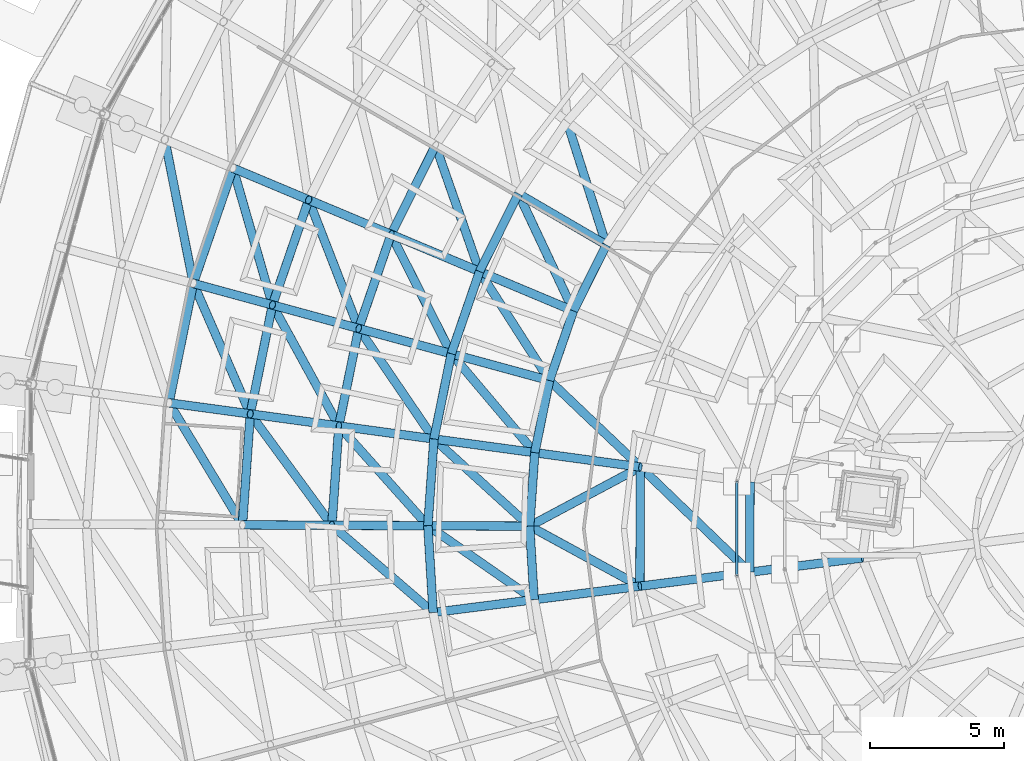
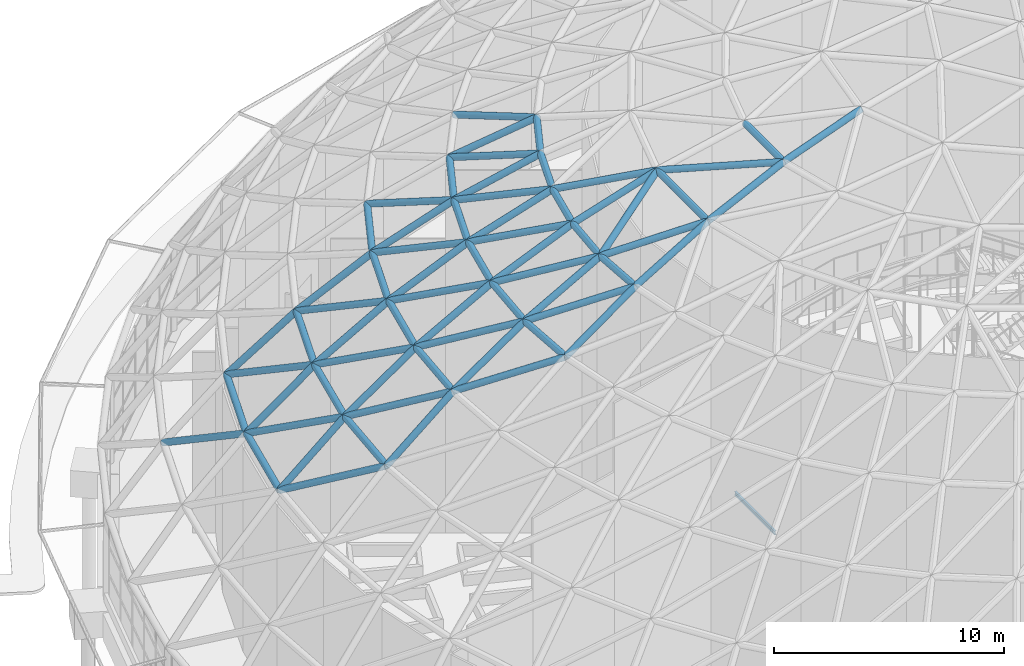
# One storey, part 84 of 226: 64 members, 1 beam.
"""IFC4 building model written with IfcOpenShell, lengths in metres."""

from ifc_helpers import new_model, si_unit, direction, frame, origin, origin_2d, place, context, subcontext, project, spatial, hollow_circle, i_section, extrude, material, material_profile, profile_set, type_object, element, save


model = new_model("IFC4")

# Units and contexts
model_context = context("Model", 3, precision=1e-05, world=origin(), true_north=direction((0.0, 1.0)))
body_context = subcontext(model_context, "Body", "Model", "MODEL_VIEW")
ifc_project = project(units=[si_unit("LENGTHUNIT", "METRE"), si_unit("AREAUNIT", "SQUARE_METRE"), si_unit("VOLUMEUNIT", "CUBIC_METRE"), si_unit("PLANEANGLEUNIT", "RADIAN"), si_unit("MASSUNIT", "GRAM", prefix="KILO")], contexts=[model_context])

# Site, building, storey
site_placement = place(None, origin())
site = spatial("IfcSite", under=ifc_project, at=site_placement, CompositionType="ELEMENT")
building_placement = place(site_placement, origin())
building = spatial("IfcBuilding", under=site, at=building_placement, Name="Ceibo Conservatory and Research Tower", CompositionType="ELEMENT")
storey_placement = place(building_placement, origin())
storey = spatial("IfcBuildingStorey", under=building, at=storey_placement, Name="L00", CompositionType="ELEMENT", Elevation=0.0)

# Members
ifc_material_1 = material(Name="Steel ASTM A500 Gr C", Category="steel")
ifc_material_profile_1 = material_profile(ifc_material_1, hollow_circle(Radius=0.161865234375, WallThickness=0.01025390625, at=origin_2d()), Name="CHS 323.9x10.31")
ifc_profile_set_1 = profile_set([ifc_material_profile_1], Name="Steel ASTM A500 Gr C")
member_type_1 = type_object("IfcMemberType", Name="CHS 323.9x10.31", PredefinedType="NOTDEFINED", material=ifc_profile_set_1)
member_1_placement = place(storey_placement, frame((123.903076171875, 121.458984375, 11.489013671875), z_axis=(-0.325608838812, -0.945504565873, 0.0), x_axis=(0.945504565873, -0.325608838812, 0.0)))
element("IfcMember", 1, at=member_1_placement, inside=storey, type_object=member_type_1, Name="Gridshell member A-C03-21", PredefinedType="CHORD", context=body_context, shape_type="SweptSolid", body=[
    extrude(hollow_circle(Radius=0.161865234375, WallThickness=0.01025390625, at=origin_2d()), origin(), (0.0, 0.0, 1.0), 4.552001953125),
])
member_2_placement = place(storey_placement, frame((122.4208984375, 117.155029296875, 11.489013671875), z_axis=(-0.199404272229, -0.979917310908, 0.0), x_axis=(0.979917310908, -0.199404272229, 0.0)))
element("IfcMember", 2, at=member_2_placement, inside=storey, type_object=member_type_1, Name="Gridshell member A-C03-22", PredefinedType="CHORD", context=body_context, shape_type="SweptSolid", body=[
    extrude(hollow_circle(Radius=0.161865234375, WallThickness=0.01025390625, at=origin_2d()), origin(), (0.0, 0.0, 1.0), 4.553466796875),
])
member_3_placement = place(storey_placement, frame((126.72705078125, 120.27490234375, 14.591064453125), z_axis=(-0.325631863911, -0.945496636274, 0.0), x_axis=(0.945496636274, -0.325631863911, 0.0)))
element("IfcMember", 3, at=member_3_placement, inside=storey, type_object=member_type_1, Name="Gridshell member A-C04-21", PredefinedType="CHORD", context=body_context, shape_type="SweptSolid", body=[
    extrude(hollow_circle(Radius=0.161865234375, WallThickness=0.01025390625, at=origin_2d()), origin(), (0.0, 0.0, 1.0), 4.152099609375),
])
member_4_placement = place(storey_placement, frame((125.375, 116.34912109375, 14.591064453125), z_axis=(-0.19941730815, -0.979914658126, 0.0), x_axis=(0.979914658126, -0.19941730815, 0.0)))
element("IfcMember", 4, at=member_4_placement, inside=storey, type_object=member_type_1, Name="Gridshell member A-C04-22", PredefinedType="CHORD", context=body_context, shape_type="SweptSolid", body=[
    extrude(hollow_circle(Radius=0.161865234375, WallThickness=0.01025390625, at=origin_2d()), origin(), (0.0, 0.0, 1.0), 4.151611328125),
])
member_5_placement = place(storey_placement, frame((124.547119140625, 112.281005859375, 14.591064453125), z_axis=(-0.069851361764, -0.997557410508, 0.0), x_axis=(0.997557410508, -0.069851361764, 0.0)))
element("IfcMember", 5, at=member_5_placement, inside=storey, type_object=member_type_1, Name="Gridshell member A-C04-23", PredefinedType="CHORD", context=body_context, shape_type="SweptSolid", body=[
    extrude(hollow_circle(Radius=0.161865234375, WallThickness=0.01025390625, at=origin_2d()), origin(), (0.0, 0.0, 1.0), 4.15234375),
])
member_6_placement = place(storey_placement, frame((129.804931640625, 118.985107421875, 17.39501953125), z_axis=(0.75813441207, -0.318032147885, 0.569287068311), x_axis=(0.386835095779, 0.92214890808, 0.0)))
element("IfcMember", 6, at=member_6_placement, inside=storey, type_object=member_type_1, Name="Gridshell member A-M21-05", PredefinedType="RAFTER", context=body_context, shape_type="SweptSolid", body=[
    extrude(hollow_circle(Radius=0.161865234375, WallThickness=0.01025390625, at=origin_2d()), origin(), (0.0, 0.0, 1.0), 4.35791015625),
])
member_7_placement = place(storey_placement, frame((128.594970703125, 115.470947265625, 17.39501953125), z_axis=(0.793235601629, -0.216123089766, 0.569269786988), x_axis=(0.262875246601, 0.964829832004, 0.0)))
element("IfcMember", 7, at=member_7_placement, inside=storey, type_object=member_type_1, Name="Gridshell member A-M22-05", PredefinedType="RAFTER", context=body_context, shape_type="SweptSolid", body=[
    extrude(hollow_circle(Radius=0.161865234375, WallThickness=0.01025390625, at=origin_2d()), origin(), (0.0, 0.0, 1.0), 4.358154296875),
])
member_8_placement = place(storey_placement, frame((127.85400390625, 111.830078125, 17.39501953125), z_axis=(0.814696103147, -0.110847960683, 0.569195036107), x_axis=(0.134818315165, 0.990870335562, 0.0)))
element("IfcMember", 8, at=member_8_placement, inside=storey, type_object=member_type_1, Name="Gridshell member A-M23-05", PredefinedType="RAFTER", context=body_context, shape_type="SweptSolid", body=[
    extrude(hollow_circle(Radius=0.161865234375, WallThickness=0.01025390625, at=origin_2d()), origin(), (0.0, 0.0, 1.0), 4.358642578125),
])
member_9_placement = place(storey_placement, frame((127.594970703125, 108.1240234375, 17.39501953125), z_axis=(0.822142202026, -0.00369728709, 0.569270172867), x_axis=(0.00449709271, 0.999989888027, 0.0)))
element("IfcMember", 9, at=member_9_placement, inside=storey, type_object=member_type_1, Name="Gridshell member A-M24-05", PredefinedType="RAFTER", context=body_context, shape_type="SweptSolid", body=[
    extrude(hollow_circle(Radius=0.161865234375, WallThickness=0.01025390625, at=origin_2d()), origin(), (0.0, 0.0, 1.0), 4.358154296875),
])
member_10_placement = place(storey_placement, frame((134.55810546875, 120.5048828125, 19.8759765625), z_axis=(0.752850077834, -0.439232549316, 0.4901953977), x_axis=(0.503930948755, 0.863743942894, 0.0)))
element("IfcMember", 10, at=member_10_placement, inside=storey, type_object=member_type_1, Name="Gridshell member A-M20-06", PredefinedType="RAFTER", context=body_context, shape_type="SweptSolid", body=[
    extrude(hollow_circle(Radius=0.161865234375, WallThickness=0.01025390625, at=origin_2d()), origin(), (0.0, 0.0, 1.0), 4.359375),
])
for number, where, z_axis, x_axis, name in (
    (11, (133.10888671875, 117.59912109375, 19.8759765625), (0.803754702844, -0.337226420994, 0.490159890893), (0.38689058322, 0.922125629519, 0.0), "Gridshell member A-M21-06"),
    (12, (132.052001953125, 114.529052734375, 19.8759765625), (0.840902685028, -0.229377823513, 0.49017189678), (0.263160896659, 0.964751959039, 0.0), "Gridshell member A-M22-06"),
):
    element("IfcMember", number, at=place(storey_placement, frame(where, z_axis=z_axis, x_axis=x_axis)), inside=storey, type_object=member_type_1, Name=name, PredefinedType="RAFTER", context=body_context, shape_type="SweptSolid", body=[
        extrude(hollow_circle(Radius=0.161865234375, WallThickness=0.01025390625, at=origin_2d()), origin(), (0.0, 0.0, 1.0), 4.359619140625),
    ])
member_11_placement = place(storey_placement, frame((131.405029296875, 111.346923828125, 19.8759765625), z_axis=(0.863654401517, -0.117442661305, 0.490212500907), x_axis=(0.134743303919, 0.990880538738, 0.0)))
element("IfcMember", 13, at=member_11_placement, inside=storey, type_object=member_type_1, Name="Gridshell member A-M23-06", PredefinedType="RAFTER", context=body_context, shape_type="SweptSolid", body=[
    extrude(hollow_circle(Radius=0.161865234375, WallThickness=0.01025390625, at=origin_2d()), origin(), (0.0, 0.0, 1.0), 4.359375),
])
member_12_placement = place(storey_placement, frame((131.177978515625, 108.10791015625, 19.8759765625), z_axis=(0.871625092103, -0.003639937744, 0.490159616523), x_axis=(0.004175999565, 0.999991280476, 0.0)))
element("IfcMember", 14, at=member_12_placement, inside=storey, type_object=member_type_1, Name="Gridshell member A-M24-06", PredefinedType="RAFTER", context=body_context, shape_type="SweptSolid", body=[
    extrude(hollow_circle(Radius=0.161865234375, WallThickness=0.01025390625, at=origin_2d()), origin(), (0.0, 0.0, 1.0), 4.359619140625),
])
member_13_placement = place(storey_placement, frame((131.3759765625, 104.866943359375, 19.8759765625), z_axis=(0.864673396571, 0.110085992595, 0.490123445162), x_axis=(-0.126295657253, 0.991992644609, 0.0)))
element("IfcMember", 15, at=member_13_placement, inside=storey, type_object=member_type_1, Name="Gridshell member A-M25-06", PredefinedType="RAFTER", context=body_context, shape_type="SweptSolid", body=[
    extrude(hollow_circle(Radius=0.161865234375, WallThickness=0.01025390625, at=origin_2d()), origin(), (0.0, 0.0, 1.0), 4.360107421875),
])
member_14_placement = place(storey_placement, frame((135.169921875, 110.8349609375, 22.012939453125), z_axis=(0.904990888306, -0.123155824209, 0.40721509678), x_axis=(0.134842297895, 0.990867072164, 0.0)))
element("IfcMember", 16, at=member_14_placement, inside=storey, type_object=member_type_1, Name="Gridshell member A-M23-07", PredefinedType="RAFTER", context=body_context, shape_type="SweptSolid", body=[
    extrude(hollow_circle(Radius=0.161865234375, WallThickness=0.01025390625, at=origin_2d()), origin(), (0.0, 0.0, 1.0), 4.359130859375),
])
member_15_placement = place(storey_placement, frame((135.14599609375, 105.346923828125, 22.012939453125), z_axis=(0.906010612223, 0.115218783885, 0.407270674589), x_axis=(-0.126155520817, 0.992010476037, 0.0)))
element("IfcMember", 17, at=member_15_placement, inside=storey, type_object=member_type_1, Name="Gridshell member A-M25-07", PredefinedType="RAFTER", context=body_context, shape_type="SweptSolid", body=[
    extrude(hollow_circle(Radius=0.161865234375, WallThickness=0.01025390625, at=origin_2d()), origin(), (0.0, 0.0, 1.0), 4.358642578125),
])
ifc_material_profile_2 = material_profile(ifc_material_1, hollow_circle(Radius=0.161865234375, WallThickness=0.01416015625, at=origin_2d()), Name="CHS 323.9x14.27")
ifc_profile_set_2 = profile_set([ifc_material_profile_2], Name="Steel ASTM A500 Gr C")
member_type_2 = type_object("IfcMemberType", Name="CHS 323.9x14.27", PredefinedType="NOTDEFINED", material=ifc_profile_set_2)
for number, where, z_axis, x_axis, name in (
    (18, (123.903076171875, 121.458984375, 11.489013671875), (0.647870994768, -0.271649894063, 0.711666712158), (0.386680743983, 0.922213642402, 0.0), "Gridshell member A-M21-03"),
    (19, (122.4208984375, 117.155029296875, 11.489013671875), (0.677736584451, -0.184893261593, 0.711679424962), (0.263191616058, 0.964743579008, 0.0), "Gridshell member A-M22-03"),
):
    element("IfcMember", number, at=place(storey_placement, frame(where, z_axis=z_axis, x_axis=x_axis)), inside=storey, type_object=member_type_2, Name=name, PredefinedType="RAFTER", context=body_context, shape_type="SweptSolid", body=[
        extrude(hollow_circle(Radius=0.161865234375, WallThickness=0.01416015625, at=origin_2d()), origin(), (0.0, 0.0, 1.0), 4.35888671875),
    ])
member_16_placement = place(storey_placement, frame((121.512939453125, 112.693115234375, 11.489013671875), z_axis=(0.696110550504, -0.094547361543, 0.711681739194), x_axis=(0.134586602615, 0.990901834894, 0.0)))
element("IfcMember", 20, at=member_16_placement, inside=storey, type_object=member_type_2, Name="Gridshell member A-M23-03", PredefinedType="RAFTER", context=body_context, shape_type="SweptSolid", body=[
    extrude(hollow_circle(Radius=0.161865234375, WallThickness=0.01416015625, at=origin_2d()), origin(), (0.0, 0.0, 1.0), 4.358642578125),
])
member_17_placement = place(storey_placement, frame((126.72705078125, 120.27490234375, 14.591064453125), z_axis=(0.706131287977, -0.295906369032, 0.643286891601), x_axis=(0.386489841125, 0.922293664029, 0.0)))
element("IfcMember", 21, at=member_17_placement, inside=storey, type_object=member_type_2, Name="Gridshell member A-M21-04", PredefinedType="RAFTER", context=body_context, shape_type="SweptSolid", body=[
    extrude(hollow_circle(Radius=0.161865234375, WallThickness=0.01416015625, at=origin_2d()), origin(), (0.0, 0.0, 1.0), 4.35888671875),
])
for number, where, z_axis, x_axis, name in (
    (22, (125.375, 116.34912109375, 14.591064453125), (0.738681526701, -0.201458598191, 0.64324492639), (0.263117405792, 0.964763821238, 0.0), "Gridshell member A-M22-04"),
    (23, (124.547119140625, 112.281005859375, 14.591064453125), (0.75863169602, -0.103447230901, 0.643254708659), (0.135109940387, 0.990830613177, 0.0), "Gridshell member A-M23-04"),
):
    element("IfcMember", number, at=place(storey_placement, frame(where, z_axis=z_axis, x_axis=x_axis)), inside=storey, type_object=member_type_2, Name=name, PredefinedType="RAFTER", context=body_context, shape_type="SweptSolid", body=[
        extrude(hollow_circle(Radius=0.161865234375, WallThickness=0.01416015625, at=origin_2d()), origin(), (0.0, 0.0, 1.0), 4.359130859375),
    ])
member_18_placement = place(storey_placement, frame((124.257080078125, 108.138916015625, 14.591064453125), z_axis=(0.765686053953, -0.003416241171, 0.643205407376), x_axis=(0.004461629086, 0.999990046883, 0.0)))
element("IfcMember", 24, at=member_18_placement, inside=storey, type_object=member_type_2, Name="Gridshell member A-M24-04", PredefinedType="RAFTER", context=body_context, shape_type="SweptSolid", body=[
    extrude(hollow_circle(Radius=0.161865234375, WallThickness=0.01416015625, at=origin_2d()), origin(), (0.0, 0.0, 1.0), 4.359375),
])
ifc_material_profile_3 = material_profile(ifc_material_1, hollow_circle(Radius=0.161865234375, WallThickness=0.00634765625, at=origin_2d()), Name="CHS 323.9x6.35")
ifc_profile_set_3 = profile_set([ifc_material_profile_3], Name="Steel ASTM A500 Gr C")
member_type_3 = type_object("IfcMemberType", Name="CHS 323.9x6.35", PredefinedType="NOTDEFINED", material=ifc_profile_set_3)
member_19_placement = place(storey_placement, frame((139.114990234375, 110.298095703125, 23.7880859375), z_axis=(-0.004499762379, -0.999989876018, 0.0), x_axis=(0.999989876018, -0.004499762379, 0.0)))
element("IfcMember", 25, at=member_19_placement, inside=storey, type_object=member_type_3, Name="Gridshell member A-C08-12", PredefinedType="CHORD", context=body_context, shape_type="SweptSolid", body=[
    extrude(hollow_circle(Radius=0.161865234375, WallThickness=0.00634765625, at=origin_2d()), origin(), (0.0, 0.0, 1.0), 4.448974609375),
])
member_20_placement = place(storey_placement, frame((143.2060546875, 109.740966796875, 25.18408203125), z_axis=(-0.004491731837, -0.999989912122, 0.0), x_axis=(0.999989912122, -0.004491731837, 0.0)))
element("IfcMember", 26, at=member_20_placement, inside=storey, type_object=member_type_3, Name="Gridshell member A-C09-12", PredefinedType="CHORD", context=body_context, shape_type="SweptSolid", body=[
    extrude(hollow_circle(Radius=0.161865234375, WallThickness=0.00634765625, at=origin_2d()), origin(), (0.0, 0.0, 1.0), 3.369873046875),
])
member_21_placement = place(storey_placement, frame((131.462890625, 122.31005859375, 17.39501953125), z_axis=(0.295356389784, -0.845327335699, 0.445181197418), x_axis=(0.944035175032, 0.329844794261, 0.0)))
element("IfcMember", 27, at=member_21_placement, inside=storey, type_object=member_type_3, Name="Gridshell diagonal member A-D05-20", PredefinedType="BRACE", context=body_context, shape_type="SweptSolid", body=[
    extrude(hollow_circle(Radius=0.161865234375, WallThickness=0.00634765625, at=origin_2d()), origin(), (0.0, 0.0, 1.0), 5.572998046875),
])
member_22_placement = place(storey_placement, frame((129.804931640625, 118.985107421875, 17.39501953125), z_axis=(0.40318992487, -0.799546122199, 0.445156020918), x_axis=(0.892895664366, 0.45026362562, 0.0)))
element("IfcMember", 28, at=member_22_placement, inside=storey, type_object=member_type_3, Name="Gridshell diagonal member A-D05-21", PredefinedType="BRACE", context=body_context, shape_type="SweptSolid", body=[
    extrude(hollow_circle(Radius=0.161865234375, WallThickness=0.00634765625, at=origin_2d()), origin(), (0.0, 0.0, 1.0), 5.5732421875),
])
for number, where, z_axis, x_axis, name in (
    (29, (128.594970703125, 115.470947265625, 17.39501953125), (0.504220638151, -0.739990879204, 0.445168559938), (0.82639291099, 0.563093914605, 0.0), "Gridshell diagonal member A-D05-22"),
    (30, (127.85400390625, 111.830078125, 17.39501953125), (0.596441059943, -0.667891325736, 0.445173268538), (0.745876895649, 0.666083820954, 0.0), "Gridshell diagonal member A-D05-23"),
):
    element("IfcMember", number, at=place(storey_placement, frame(where, z_axis=z_axis, x_axis=x_axis)), inside=storey, type_object=member_type_3, Name=name, PredefinedType="BRACE", context=body_context, shape_type="SweptSolid", body=[
        extrude(hollow_circle(Radius=0.161865234375, WallThickness=0.00634765625, at=origin_2d()), origin(), (0.0, 0.0, 1.0), 5.572998046875),
    ])
member_23_placement = place(storey_placement, frame((127.594970703125, 108.1240234375, 17.39501953125), z_axis=(0.678435486365, -0.584426152489, 0.445164422576), x_axis=(0.65266280113, 0.757648512188, 0.0)))
element("IfcMember", 31, at=member_23_placement, inside=storey, type_object=member_type_3, Name="Gridshell diagonal member A-D05-24", PredefinedType="BRACE", context=body_context, shape_type="SweptSolid", body=[
    extrude(hollow_circle(Radius=0.161865234375, WallThickness=0.00634765625, at=origin_2d()), origin(), (0.0, 0.0, 1.0), 5.5732421875),
])
member_24_placement = place(storey_placement, frame((136.3740234375, 123.196044921875, 19.8759765625), z_axis=(0.277403164392, -0.871521748446, 0.404348026298), x_axis=(0.952893934485, 0.303303725039, 0.0)))
element("IfcMember", 32, at=member_24_placement, inside=storey, type_object=member_type_3, Name="Gridshell diagonal member A-D06-19", PredefinedType="BRACE", context=body_context, shape_type="SweptSolid", body=[
    extrude(hollow_circle(Radius=0.161865234375, WallThickness=0.00634765625, at=origin_2d()), origin(), (0.0, 0.0, 1.0), 5.284912109375),
])
member_25_placement = place(storey_placement, frame((134.55810546875, 120.5048828125, 19.8759765625), z_axis=(0.388772591658, -0.827891164652, 0.404292086822), x_axis=(0.905165179549, 0.425059993097, 0.0)))
element("IfcMember", 33, at=member_25_placement, inside=storey, type_object=member_type_3, Name="Gridshell diagonal member A-D06-20", PredefinedType="BRACE", context=body_context, shape_type="SweptSolid", body=[
    extrude(hollow_circle(Radius=0.161865234375, WallThickness=0.00634765625, at=origin_2d()), origin(), (0.0, 0.0, 1.0), 5.28564453125),
])
member_26_placement = place(storey_placement, frame((133.10888671875, 117.59912109375, 19.8759765625), z_axis=(0.493611797358, -0.770001148475, 0.404284089293), x_axis=(0.841868549546, 0.539682633855, 0.0)))
element("IfcMember", 34, at=member_26_placement, inside=storey, type_object=member_type_3, Name="Gridshell diagonal member A-D06-21", PredefinedType="BRACE", context=body_context, shape_type="SweptSolid", body=[
    extrude(hollow_circle(Radius=0.161865234375, WallThickness=0.00634765625, at=origin_2d()), origin(), (0.0, 0.0, 1.0), 5.285888671875),
])
member_27_placement = place(storey_placement, frame((132.052001953125, 114.529052734375, 19.8759765625), z_axis=(0.589923473888, -0.698937599515, 0.404322305766), x_axis=(0.764186459344, 0.644995391731, 0.0)))
element("IfcMember", 35, at=member_27_placement, inside=storey, type_object=member_type_3, Name="Gridshell diagonal member A-D06-22", PredefinedType="BRACE", context=body_context, shape_type="SweptSolid", body=[
    extrude(hollow_circle(Radius=0.161865234375, WallThickness=0.00634765625, at=origin_2d()), origin(), (0.0, 0.0, 1.0), 5.285400390625),
])
member_28_placement = place(storey_placement, frame((131.405029296875, 111.346923828125, 19.8759765625), z_axis=(0.67611283103, -0.615916382869, 0.404374144859), x_axis=(0.673431726244, 0.739249423461, 0.0)))
element("IfcMember", 36, at=member_28_placement, inside=storey, type_object=member_type_3, Name="Gridshell diagonal member A-D06-23", PredefinedType="BRACE", context=body_context, shape_type="SweptSolid", body=[
    extrude(hollow_circle(Radius=0.161865234375, WallThickness=0.00634765625, at=origin_2d()), origin(), (0.0, 0.0, 1.0), 5.28466796875),
])
member_29_placement = place(storey_placement, frame((131.177978515625, 108.10791015625, 19.8759765625), z_axis=(0.750759183648, -0.522385750807, 0.404318903247), x_axis=(0.57115178965, 0.820844463452, 0.0)))
element("IfcMember", 37, at=member_29_placement, inside=storey, type_object=member_type_3, Name="Gridshell diagonal member A-D06-24", PredefinedType="BRACE", context=body_context, shape_type="SweptSolid", body=[
    extrude(hollow_circle(Radius=0.161865234375, WallThickness=0.00634765625, at=origin_2d()), origin(), (0.0, 0.0, 1.0), 5.285400390625),
])
member_30_placement = place(storey_placement, frame((135.718017578125, 113.529052734375, 22.012939453125), z_axis=(0.677639662113, -0.644522300446, 0.354112259826), x_axis=(0.689179090978, 0.724591043665, 0.0)))
element("IfcMember", 38, at=member_30_placement, inside=storey, type_object=member_type_3, Name="Gridshell diagonal member A-D07-23", PredefinedType="BRACE", context=body_context, shape_type="SweptSolid", body=[
    extrude(hollow_circle(Radius=0.161865234375, WallThickness=0.00634765625, at=origin_2d()), origin(), (0.0, 0.0, 1.0), 5.012939453125),
])
for number, where, z_axis, x_axis, name in (
    (39, (134.97802734375, 108.092041015625, 22.012939453125), (0.825212206497, 0.440048244196, 0.354093712212), (-0.470534179101, 0.88238176902, 0.0), "Gridshell diagonal member A-D07-24"),
    (40, (134.97802734375, 108.092041015625, 22.012939453125), (0.821238896265, -0.447412781829, 0.354102355141), (0.478410595782, 0.878136266102, 0.0), "Gridshell diagonal member A-D07-25"),
):
    element("IfcMember", number, at=place(storey_placement, frame(where, z_axis=z_axis, x_axis=x_axis)), inside=storey, type_object=member_type_3, Name=name, PredefinedType="BRACE", context=body_context, shape_type="SweptSolid", body=[
        extrude(hollow_circle(Radius=0.161865234375, WallThickness=0.00634765625, at=origin_2d()), origin(), (0.0, 0.0, 1.0), 5.01318359375),
    ])
member_31_placement = place(storey_placement, frame((139.114990234375, 110.298095703125, 23.7880859375), z_axis=(0.699187199192, -0.673640377299, 0.239470045222), x_axis=(0.693828173256, 0.72014058766, 0.0)))
element("IfcMember", 41, at=member_31_placement, inside=storey, type_object=member_type_3, Name="Gridshell diagonal member A-D08-12", PredefinedType="BRACE", context=body_context, shape_type="SweptSolid", body=[
    extrude(hollow_circle(Radius=0.161865234375, WallThickness=0.00634765625, at=origin_2d()), origin(), (0.0, 0.0, 1.0), 5.82958984375),
])
ifc_material_profile_4 = material_profile(ifc_material_1, hollow_circle(Radius=0.161865234375, WallThickness=0.00830078125, at=origin_2d()), Name="CHS 323.9x8.38")
ifc_profile_set_4 = profile_set([ifc_material_profile_4], Name="Steel ASTM A500 Gr C")
member_type_4 = type_object("IfcMemberType", Name="CHS 323.9x8.38", PredefinedType="NOTDEFINED", material=ifc_profile_set_4)
member_32_placement = place(storey_placement, frame((131.462890625, 122.31005859375, 17.39501953125), z_axis=(-0.446240813982, -0.894912920868, 0.0), x_axis=(0.894912920868, -0.446240813982, 0.0)))
element("IfcMember", 42, at=member_32_placement, inside=storey, type_object=member_type_4, Name="Gridshell member A-C05-20", PredefinedType="CHORD", context=body_context, shape_type="SweptSolid", body=[
    extrude(hollow_circle(Radius=0.161865234375, WallThickness=0.00830078125, at=origin_2d()), origin(), (0.0, 0.0, 1.0), 3.71533203125),
])
member_33_placement = place(storey_placement, frame((129.804931640625, 118.985107421875, 17.39501953125), z_axis=(-0.325553375077, -0.945523664419, 0.0), x_axis=(0.945523664419, -0.325553375077, 0.0)))
element("IfcMember", 43, at=member_33_placement, inside=storey, type_object=member_type_4, Name="Gridshell member A-C05-21", PredefinedType="CHORD", context=body_context, shape_type="SweptSolid", body=[
    extrude(hollow_circle(Radius=0.161865234375, WallThickness=0.00830078125, at=origin_2d()), origin(), (0.0, 0.0, 1.0), 3.716552734375),
])
member_34_placement = place(storey_placement, frame((128.594970703125, 115.470947265625, 17.39501953125), z_axis=(-0.199425721897, -0.979912945851, 0.0), x_axis=(0.979912945851, -0.199425721897, 0.0)))
element("IfcMember", 44, at=member_34_placement, inside=storey, type_object=member_type_4, Name="Gridshell member A-C05-22", PredefinedType="CHORD", context=body_context, shape_type="SweptSolid", body=[
    extrude(hollow_circle(Radius=0.161865234375, WallThickness=0.00830078125, at=origin_2d()), origin(), (0.0, 0.0, 1.0), 3.715576171875),
])
member_35_placement = place(storey_placement, frame((127.85400390625, 111.830078125, 17.39501953125), z_axis=(-0.069724494689, -0.997566285938, 0.0), x_axis=(0.997566285938, -0.069724494689, 0.0)))
element("IfcMember", 45, at=member_35_placement, inside=storey, type_object=member_type_4, Name="Gridshell member A-C05-23", PredefinedType="CHORD", context=body_context, shape_type="SweptSolid", body=[
    extrude(hollow_circle(Radius=0.161865234375, WallThickness=0.00830078125, at=origin_2d()), origin(), (0.0, 0.0, 1.0), 3.715087890625),
])
member_36_placement = place(storey_placement, frame((134.55810546875, 120.5048828125, 19.8759765625), z_axis=(-0.446311121763, -0.894877859035, 0.0), x_axis=(0.894877859035, -0.446311121763, 0.0)))
element("IfcMember", 46, at=member_36_placement, inside=storey, type_object=member_type_4, Name="Gridshell member A-C06-20", PredefinedType="CHORD", context=body_context, shape_type="SweptSolid", body=[
    extrude(hollow_circle(Radius=0.161865234375, WallThickness=0.00830078125, at=origin_2d()), origin(), (0.0, 0.0, 1.0), 3.2470703125),
])
member_37_placement = place(storey_placement, frame((133.10888671875, 117.59912109375, 19.8759765625), z_axis=(-0.325506327114, -0.9455398622, 0.0), x_axis=(0.9455398622, -0.325506327114, 0.0)))
element("IfcMember", 47, at=member_37_placement, inside=storey, type_object=member_type_4, Name="Gridshell member A-C06-21", PredefinedType="CHORD", context=body_context, shape_type="SweptSolid", body=[
    extrude(hollow_circle(Radius=0.161865234375, WallThickness=0.00830078125, at=origin_2d()), origin(), (0.0, 0.0, 1.0), 3.246826171875),
])
member_38_placement = place(storey_placement, frame((132.052001953125, 114.529052734375, 19.8759765625), z_axis=(-0.199238177225, -0.979951095074, 0.0), x_axis=(0.979951095074, -0.199238177225, 0.0)))
element("IfcMember", 48, at=member_38_placement, inside=storey, type_object=member_type_4, Name="Gridshell member A-C06-22", PredefinedType="CHORD", context=body_context, shape_type="SweptSolid", body=[
    extrude(hollow_circle(Radius=0.161865234375, WallThickness=0.00830078125, at=origin_2d()), origin(), (0.0, 0.0, 1.0), 3.247314453125),
])
for number, where, z_axis, x_axis, name in (
    (49, (131.405029296875, 111.346923828125, 19.8759765625), (-0.069927146598, -0.99755210098, 0.0), (0.99755210098, -0.069927146598, 0.0), "Gridshell member A-C06-23"),
    (50, (131.177978515625, 108.10791015625, 19.8759765625), (0.060978590523, -0.998139074227, 0.0), (0.998139074227, 0.060978590523, 0.0), "Gridshell member A-C06-24"),
):
    element("IfcMember", number, at=place(storey_placement, frame(where, z_axis=z_axis, x_axis=x_axis)), inside=storey, type_object=member_type_4, Name=name, PredefinedType="CHORD", context=body_context, shape_type="SweptSolid", body=[
        extrude(hollow_circle(Radius=0.161865234375, WallThickness=0.00830078125, at=origin_2d()), origin(), (0.0, 0.0, 1.0), 3.2470703125),
    ])
member_39_placement = place(storey_placement, frame((137.840087890625, 118.590087890625, 22.012939453125), z_axis=(-0.446183508263, -0.894941493593, 0.0), x_axis=(0.894941493593, -0.446183508263, 0.0)))
element("IfcMember", 51, at=member_39_placement, inside=storey, type_object=member_type_4, Name="Gridshell member A-C07-20", PredefinedType="CHORD", context=body_context, shape_type="SweptSolid", body=[
    extrude(hollow_circle(Radius=0.161865234375, WallThickness=0.00830078125, at=origin_2d()), origin(), (0.0, 0.0, 1.0), 2.75),
])
member_40_placement = place(storey_placement, frame((136.613037109375, 116.12890625, 22.012939453125), z_axis=(-0.325509035306, -0.945538929888, 0.0), x_axis=(0.945538929888, -0.325509035306, 0.0)))
element("IfcMember", 52, at=member_40_placement, inside=storey, type_object=member_type_4, Name="Gridshell member A-C07-21", PredefinedType="CHORD", context=body_context, shape_type="SweptSolid", body=[
    extrude(hollow_circle(Radius=0.161865234375, WallThickness=0.00830078125, at=origin_2d()), origin(), (0.0, 0.0, 1.0), 2.74951171875),
])
member_41_placement = place(storey_placement, frame((135.718017578125, 113.529052734375, 22.012939453125), z_axis=(-0.199359737711, -0.979926372224, 0.0), x_axis=(0.979926372224, -0.199359737711, 0.0)))
element("IfcMember", 53, at=member_41_placement, inside=storey, type_object=member_type_4, Name="Gridshell member A-C07-22", PredefinedType="CHORD", context=body_context, shape_type="SweptSolid", body=[
    extrude(hollow_circle(Radius=0.161865234375, WallThickness=0.00830078125, at=origin_2d()), origin(), (0.0, 0.0, 1.0), 2.749267578125),
])
member_42_placement = place(storey_placement, frame((135.169921875, 110.8349609375, 22.012939453125), z_axis=(-0.069789366729, -0.997561749613, 0.0), x_axis=(0.997561749613, -0.069789366729, 0.0)))
element("IfcMember", 54, at=member_42_placement, inside=storey, type_object=member_type_4, Name="Gridshell member A-C07-23", PredefinedType="CHORD", context=body_context, shape_type="SweptSolid", body=[
    extrude(hollow_circle(Radius=0.161865234375, WallThickness=0.00830078125, at=origin_2d()), origin(), (0.0, 0.0, 1.0), 2.74951171875),
])
member_43_placement = place(storey_placement, frame((134.97802734375, 108.092041015625, 22.012939453125), z_axis=(0.061073965774, -0.998133242961, 0.0), x_axis=(0.998133242961, 0.061073965774, 0.0)))
element("IfcMember", 55, at=member_43_placement, inside=storey, type_object=member_type_4, Name="Gridshell member A-C07-24", PredefinedType="CHORD", context=body_context, shape_type="SweptSolid", body=[
    extrude(hollow_circle(Radius=0.161865234375, WallThickness=0.00830078125, at=origin_2d()), origin(), (0.0, 0.0, 1.0), 2.750244140625),
])
member_44_placement = place(storey_placement, frame((121.35791015625, 122.527099609375, 8.115966796875), z_axis=(0.165273771363, -0.835251278152, 0.524442449507), x_axis=(0.980979860437, 0.194109539736, 0.0)))
element("IfcMember", 56, at=member_44_placement, inside=storey, type_object=member_type_4, Name="Gridshell diagonal member A-D02-21", PredefinedType="BRACE", context=body_context, shape_type="SweptSolid", body=[
    extrude(hollow_circle(Radius=0.161865234375, WallThickness=0.00830078125, at=origin_2d()), origin(), (0.0, 0.0, 1.0), 6.431640625),
])
for number, where, z_axis, x_axis, name in (
    (57, (123.903076171875, 121.458984375, 11.489013671875), (0.239092435842, -0.830022339055, 0.503882648831), (0.960927447559, 0.276800362223, 0.0), "Gridshell diagonal member A-D03-21"),
    (58, (122.4208984375, 117.155029296875, 11.489013671875), (0.345374931427, -0.791717204158, 0.50388493268), (0.916582518113, 0.399845579555, 0.0), "Gridshell diagonal member A-D03-22"),
):
    element("IfcMember", number, at=place(storey_placement, frame(where, z_axis=z_axis, x_axis=x_axis)), inside=storey, type_object=member_type_4, Name=name, PredefinedType="BRACE", context=body_context, shape_type="SweptSolid", body=[
        extrude(hollow_circle(Radius=0.161865234375, WallThickness=0.00830078125, at=origin_2d()), origin(), (0.0, 0.0, 1.0), 6.15625),
    ])
member_45_placement = place(storey_placement, frame((121.512939453125, 112.693115234375, 11.489013671875), z_axis=(0.44578200005, -0.739823614674, 0.503924029594), x_axis=(0.85652717237, 0.516101930816, 0.0)))
element("IfcMember", 59, at=member_45_placement, inside=storey, type_object=member_type_4, Name="Gridshell diagonal member A-D03-23", PredefinedType="BRACE", context=body_context, shape_type="SweptSolid", body=[
    extrude(hollow_circle(Radius=0.161865234375, WallThickness=0.00830078125, at=origin_2d()), origin(), (0.0, 0.0, 1.0), 6.15576171875),
])
for number, where, z_axis, x_axis, name in (
    (60, (126.72705078125, 120.27490234375, 14.591064453125), (0.318342282544, -0.818719264621, 0.477867091232), (0.932023337386, 0.36239825961, 0.0), "Gridshell diagonal member A-D04-21"),
    (61, (125.375, 116.34912109375, 14.591064453125), (0.422486318059, -0.770161684781, 0.477866393826), (0.876745405633, 0.480954773031, 0.0), "Gridshell diagonal member A-D04-22"),
):
    element("IfcMember", number, at=place(storey_placement, frame(where, z_axis=z_axis, x_axis=x_axis)), inside=storey, type_object=member_type_4, Name=name, PredefinedType="BRACE", context=body_context, shape_type="SweptSolid", body=[
        extrude(hollow_circle(Radius=0.161865234375, WallThickness=0.00830078125, at=origin_2d()), origin(), (0.0, 0.0, 1.0), 5.86767578125),
    ])
member_46_placement = place(storey_placement, frame((124.547119140625, 112.281005859375, 14.591064453125), z_axis=(0.519412348643, -0.708429514607, 0.477847711003), x_axis=(0.806460706155, 0.591287687534, 0.0)))
element("IfcMember", 62, at=member_46_placement, inside=storey, type_object=member_type_4, Name="Gridshell diagonal member A-D04-23", PredefinedType="BRACE", context=body_context, shape_type="SweptSolid", body=[
    extrude(hollow_circle(Radius=0.161865234375, WallThickness=0.00830078125, at=origin_2d()), origin(), (0.0, 0.0, 1.0), 5.867919921875),
])
for number, where, z_axis, x_axis, name in (
    (63, (139.094970703125, 105.84912109375, 23.7880859375), (0.939723106482, 0.119754902644, 0.320279950102), (-0.126414021583, 0.991977567865, 0.0), "Gridshell member A-M13-08"),
    (64, (143.19091796875, 106.37109375, 25.18408203125), (0.965235469423, 0.122726956448, 0.23077821112), (-0.126131707722, 0.992013504095, 0.0), "Gridshell member A-M13-09"),
):
    element("IfcMember", number, at=place(storey_placement, frame(where, z_axis=z_axis, x_axis=x_axis)), inside=storey, type_object=member_type_4, Name=name, PredefinedType="RAFTER", context=body_context, shape_type="SweptSolid", body=[
        extrude(hollow_circle(Radius=0.161865234375, WallThickness=0.00830078125, at=origin_2d()), origin(), (0.0, 0.0, 1.0), 4.358642578125),
    ])

# Beam
ifc_material_2 = material(Name="Steel S355J2", Category="steel")
ifc_material_profile_5 = material_profile(ifc_material_2, i_section(OverallWidth=0.10009765625, OverallDepth=0.199951171875, WebThickness=0.005615234375, FlangeThickness=0.008544921875, at=origin_2d()), Name="IPE 200")
ifc_profile_set_5 = profile_set([ifc_material_profile_5], Name="Steel S355J2")
beam_type = type_object("IfcBeamType", Name="IPE 200 walkway beam", PredefinedType="BEAM", material=ifc_profile_set_5)
beam_placement = place(storey_placement, frame((142.7158203125, 109.758056640625, 5.699951171875), z_axis=(0.0, -1.0, 0.0), x_axis=(1.0, 0.0, 0.0)))
element("IfcBeam", 65, at=beam_placement, inside=storey, type_object=beam_type, Name="Walkway beam WK-B07O", PredefinedType="BEAM", context=body_context, shape_type="SweptSolid", body=[
    extrude(i_section(OverallWidth=0.10009765625, OverallDepth=0.199951171875, WebThickness=0.005615234375, FlangeThickness=0.008544921875, at=origin_2d()), origin(), (0.0, 0.0, 1.0), 3.51611328125),
])

save(model, "model.ifc")
